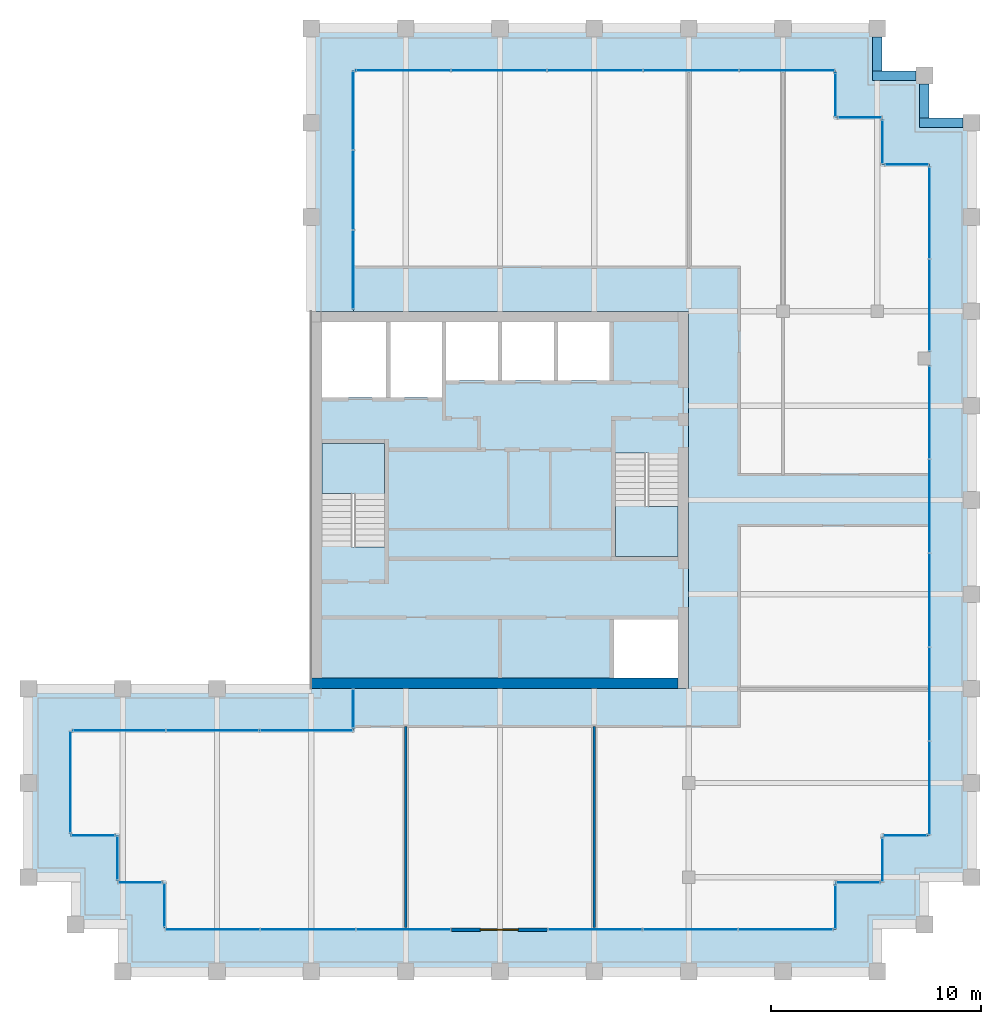
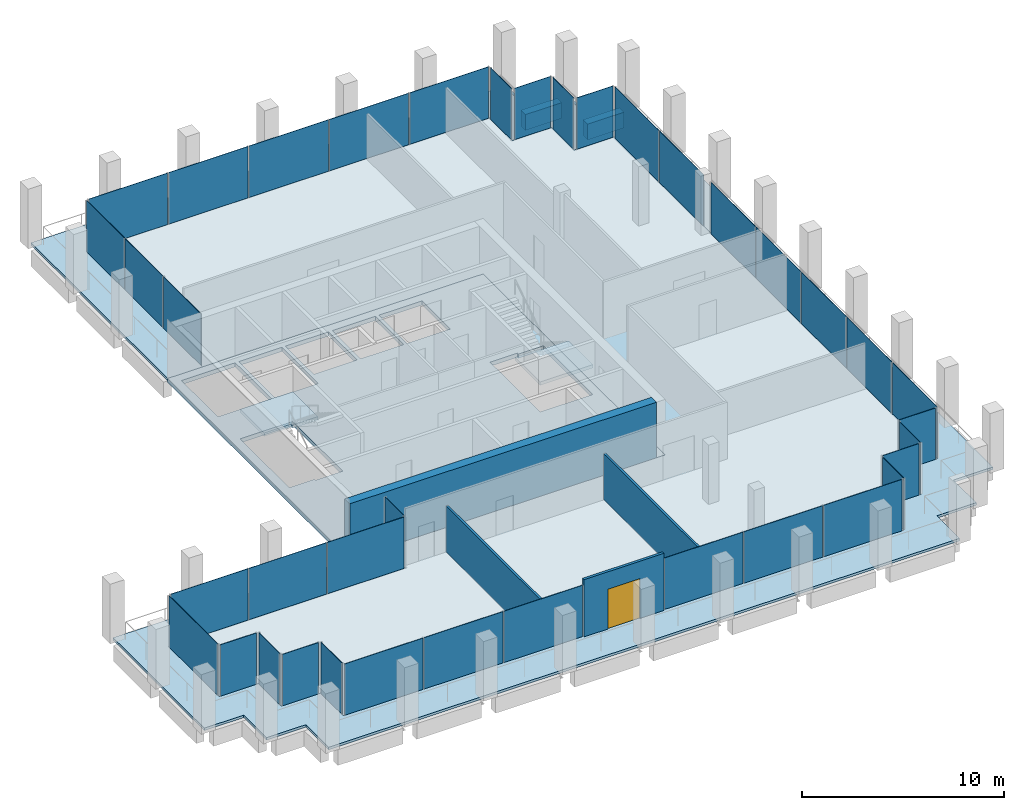
# One storey, part 27 of 30: 38 plates, 5 slabs, 4 beams, 4 walls, 1 door, 1 opening, 23 elements without a shape of their own.
"""IFC4 building model written with IfcOpenShell, lengths in metres."""

from ifc_helpers import new_model, si_unit, direction, frame, frame_2d, origin, origin_2d, place, context, subcontext, project, spatial, polyline, rectangle, outline, extrude, material, layer, layer_set, material_profile, profile_set, type_object, element, fill, aggregate, save


model = new_model("IFC4")

# Units and contexts
model_context = context("Model", 3, precision=1e-05, world=origin(), true_north=direction((0.0, 1.0)))
body_context = subcontext(model_context, "Body", "Model", "MODEL_VIEW")
ifc_project = project(units=[si_unit("LENGTHUNIT", "METRE"), si_unit("AREAUNIT", "SQUARE_METRE"), si_unit("VOLUMEUNIT", "CUBIC_METRE"), si_unit("PLANEANGLEUNIT", "RADIAN"), si_unit("MASSUNIT", "GRAM", prefix="KILO")], contexts=[model_context])

# Site, building, storey
site_placement = place(None, origin())
site = spatial("IfcSite", under=ifc_project, at=site_placement, CompositionType="ELEMENT")
building_placement = place(site_placement, origin())
building = spatial("IfcBuilding", under=site, at=building_placement, Name="Altepetl Exchange Towers", CompositionType="ELEMENT")
storey_placement = place(building_placement, frame((0.0, 0.0, 238.800048828125)))
storey = spatial("IfcBuildingStorey", under=building, at=storey_placement, Name="L61", CompositionType="ELEMENT", Elevation=238.800048828125)

# Beams
ifc_material_1 = material(Name="Concrete C50/60 precast with cantera rosa facing", Category="concrete")
ifc_material_profile = material_profile(ifc_material_1, rectangle(XDim=0.449951171875, YDim=0.949951171875, at=origin_2d()), Name="450 x 950")
ifc_profile_set = profile_set([ifc_material_profile], Name="Concrete C50/60 precast with cantera rosa facing")
beam_type = type_object("IfcBeamType", Name="Spandrel beam 450x950 cantera rosa", PredefinedType="SPANDREL", material=ifc_profile_set)
beam_1_placement = place(storey_placement, frame((71.60009765625, 67.5, -0.625), z_axis=(-1.0, 0.0, 0.0), x_axis=(0.0, -1.0, 0.0)))
element("IfcBeam", 1, at=beam_1_placement, inside=storey, type_object=beam_type, Name="sp:A:L61:020", PredefinedType="SPANDREL", context=body_context, shape_type="SweptSolid", body=[
    extrude(rectangle(XDim=0.449951171875, YDim=0.949951171875, at=origin_2d()), origin(), (0.0, 0.0, 1.0), 2.0751953125),
])
beam_2_placement = place(storey_placement, frame((69.75, 67.72509765625, -0.625), z_axis=(0.0, 1.0, 0.0), x_axis=(-1.0, 0.0, 0.0)))
element("IfcBeam", 2, at=beam_2_placement, inside=storey, type_object=beam_type, Name="sp:A:L61:021", PredefinedType="SPANDREL", context=body_context, shape_type="SweptSolid", body=[
    extrude(rectangle(XDim=0.449951171875, YDim=0.949951171875, at=origin_2d()), origin(), (0.0, 0.0, 1.0), 1.625),
])
beam_3_placement = place(storey_placement, frame((69.35009765625, 69.75, -0.625), z_axis=(-1.0, 0.0, 0.0), x_axis=(0.0, -1.0, 0.0)))
element("IfcBeam", 3, at=beam_3_placement, inside=storey, type_object=beam_type, Name="sp:A:L61:022", PredefinedType="SPANDREL", context=body_context, shape_type="SweptSolid", body=[
    extrude(rectangle(XDim=0.449951171875, YDim=0.949951171875, at=origin_2d()), origin(), (0.0, 0.0, 1.0), 2.0751953125),
])
beam_4_placement = place(storey_placement, frame((67.5, 69.97509765625, -0.625), z_axis=(0.0, 1.0, 0.0), x_axis=(-1.0, 0.0, 0.0)))
element("IfcBeam", 4, at=beam_4_placement, inside=storey, type_object=beam_type, Name="sp:A:L61:023", PredefinedType="SPANDREL", context=body_context, shape_type="SweptSolid", body=[
    extrude(rectangle(XDim=0.449951171875, YDim=0.949951171875, at=origin_2d()), origin(), (0.0, 0.0, 1.0), 1.625),
])

# Slabs
ifc_material_2 = material(Name="Concrete C40/50", Category="concrete")
ifc_layer_1 = layer(ifc_material_2, 0.14990234375)
ifc_layer_set_1 = layer_set([ifc_layer_1], Name="Concrete C40/50")
slab_type_1 = type_object("IfcSlabType", Name="Composite floor slab 150", PredefinedType="FLOOR", material=ifc_layer_set_1)
slab_1_placement = place(storey_placement, frame((0.0, 0.0, -0.150146484375)))
element("IfcSlab", 5, at=slab_1_placement, inside=storey, type_object=slab_type_1, Name="slab:A:L61:strip0", PredefinedType="FLOOR", context=body_context, shape_type="SweptSolid", body=[
    extrude(outline(polyline([(42.5, 70.0), (42.5, 58.5), (58.5, 58.5), (58.5, 40.5), (42.5, 40.5), (42.5, 38.5), (29.0, 38.5), (29.0, 33.5), (31.25, 33.5), (31.25, 31.25), (33.5, 31.25), (33.5, 29.0), (65.5, 29.0), (65.5, 31.25), (67.75, 31.25), (67.75, 33.5), (70.0, 33.5), (70.0, 65.5), (67.75, 65.5), (67.75, 67.75), (65.5, 67.75), (65.5, 70.0), (42.5, 70.0)])), origin(), (0.0, 0.0, 1.0), 0.150146484375),
])
ifc_layer_2 = layer(ifc_material_2, 0.25)
ifc_layer_set_2 = layer_set([ifc_layer_2], Name="Concrete C40/50")
slab_type_2 = type_object("IfcSlabType", Name="Core floor slab 250", PredefinedType="FLOOR", material=ifc_layer_set_2)
slab_2_placement = place(storey_placement, frame((0.0, 0.0, -0.25)))
element("IfcSlab", 6, at=slab_2_placement, inside=storey, type_object=slab_type_2, Name="slab:A:L61:core0", PredefinedType="FLOOR", context=body_context, shape_type="SweptSolid", body=[
    extrude(outline(polyline([(40.5, 40.5), (58.5, 40.5), (58.5, 58.5), (40.5, 58.5), (40.5, 40.5)]), holes=[polyline([(54.93310546875, 43.800048828125), (58.0, 43.800048828125), (58.0, 41.0), (54.93310546875, 41.0), (54.93310546875, 43.800048828125)]), polyline([(55.0, 51.7490234375), (56.550048828125, 51.7490234375), (56.550048828125, 51.64990234375), (58.0, 51.64990234375), (58.0, 46.800048828125), (55.0, 46.800048828125), (55.0, 51.7490234375)]), polyline([(44.0, 47.2509765625), (42.449951171875, 47.2509765625), (42.449951171875, 47.35009765625), (41.0, 47.35009765625), (41.0, 52.199951171875), (44.0, 52.199951171875), (44.0, 47.2509765625)]), polyline([(41.0, 58.0), (44.06689453125, 58.0), (44.06689453125, 54.39990234375), (41.0, 54.39990234375), (41.0, 58.0)]), polyline([(44.26708984375, 58.0), (46.73291015625, 58.0), (46.73291015625, 54.39990234375), (44.26708984375, 54.39990234375), (44.26708984375, 58.0)]), polyline([(46.93310546875, 58.0), (49.39990234375, 58.0), (49.39990234375, 55.199951171875), (46.93310546875, 55.199951171875), (46.93310546875, 58.0)]), polyline([(49.60009765625, 58.0), (52.06689453125, 58.0), (52.06689453125, 55.199951171875), (49.60009765625, 55.199951171875), (49.60009765625, 58.0)]), polyline([(52.26708984375, 58.0), (54.73291015625, 58.0), (54.73291015625, 55.199951171875), (52.26708984375, 55.199951171875), (52.26708984375, 58.0)])]), origin(), (0.0, 0.0, 1.0), 0.25),
])

# Curtain wall, plate
ifc_material_3 = material(Name="Aluminium 6063-T6 glazing", Category="aluminium")
curtain_wall_type = type_object("IfcCurtainWallType", Name="Loggia glazing system", PredefinedType="NOTDEFINED", material=ifc_material_3)
curtain_wall_1_placement = place(storey_placement, origin())
curtain_wall_1 = element("IfcCurtainWall", 7, at=curtain_wall_1_placement, inside=storey, type_object=curtain_wall_type, Name="CW1 run", PredefinedType="NOTDEFINED")
ifc_material_4 = material(Name="Glass 6-16-6 low emissivity", Category="glass")
ifc_layer_3 = layer(ifc_material_4, 0.028076171875)
ifc_layer_set_3 = layer_set([ifc_layer_3], Name="Glass 6-16-6 low emissivity")
plate_type = type_object("IfcPlateType", Name="Glass panel 28 double glazed", PredefinedType="CURTAIN_PANEL", material=ifc_layer_set_3)
plate_1_placement = place(storey_placement, frame((42.5, 39.53759765625, 0.0), z_axis=(0.0, 0.0, 1.0), x_axis=(0.0, -1.0, 0.0)))
plate_1 = element("IfcPlate", 8, at=plate_1_placement, type_object=plate_type, Name="GP1 panel", PredefinedType="CURTAIN_PANEL", context=body_context, shape_type="SweptSolid", body=[
    extrude(rectangle(XDim=1.804931640625, YDim=0.028076171875, at=origin_2d()), origin(), (0.0, 0.0, 1.0), 3.10009765625),
])
aggregate(curtain_wall_1, [plate_1])

# Curtain wall, plates
curtain_wall_2_placement = place(storey_placement, origin())
curtain_wall_2 = element("IfcCurtainWall", 9, at=curtain_wall_2_placement, inside=storey, type_object=curtain_wall_type, Name="CW1 run", PredefinedType="NOTDEFINED")
plate_2_placement = place(storey_placement, frame((40.24755859375, 38.5, 0.0), z_axis=(0.0, 0.0, 1.0), x_axis=(-1.0, 0.0, 0.0)))
plate_2 = element("IfcPlate", 10, at=plate_2_placement, type_object=plate_type, Name="GP1 panel", PredefinedType="CURTAIN_PANEL", context=body_context, shape_type="SweptSolid", body=[
    extrude(rectangle(XDim=4.385009765625, YDim=0.028076171875, at=origin_2d()), origin(), (0.0, 0.0, 1.0), 3.10009765625),
])
plate_3_placement = place(storey_placement, frame((35.78759765625, 38.5, 0.0), z_axis=(0.0, 0.0, 1.0), x_axis=(-1.0, 0.0, 0.0)))
plate_3 = element("IfcPlate", 11, at=plate_3_placement, type_object=plate_type, Name="GP1 panel", PredefinedType="CURTAIN_PANEL", context=body_context, shape_type="SweptSolid", body=[
    extrude(rectangle(XDim=4.4150390625, YDim=0.028076171875, at=origin_2d()), origin(), (0.0, 0.0, 1.0), 3.10009765625),
])
plate_4_placement = place(storey_placement, frame((31.327392578125, 38.5, 0.0), z_axis=(0.0, 0.0, 1.0), x_axis=(-1.0, 0.0, 0.0)))
plate_4 = element("IfcPlate", 12, at=plate_4_placement, type_object=plate_type, Name="GP1 panel", PredefinedType="CURTAIN_PANEL", context=body_context, shape_type="SweptSolid", body=[
    extrude(rectangle(XDim=4.385009765625, YDim=0.028076171875, at=origin_2d()), origin(), (0.0, 0.0, 1.0), 3.10009765625),
])
aggregate(curtain_wall_2, [plate_2, plate_3, plate_4])

# Curtain wall, plate
curtain_wall_3_placement = place(storey_placement, origin())
curtain_wall_3 = element("IfcCurtainWall", 13, at=curtain_wall_3_placement, inside=storey, type_object=curtain_wall_type, Name="CW1 run", PredefinedType="NOTDEFINED")
plate_5_placement = place(storey_placement, frame((29.0, 36.03759765625, 0.0), z_axis=(0.0, 0.0, 1.0), x_axis=(0.0, -1.0, 0.0)))
plate_5 = element("IfcPlate", 14, at=plate_5_placement, type_object=plate_type, Name="GP1 panel", PredefinedType="CURTAIN_PANEL", context=body_context, shape_type="SweptSolid", body=[
    extrude(rectangle(XDim=4.804931640625, YDim=0.028076171875, at=origin_2d()), origin(), (0.0, 0.0, 1.0), 3.10009765625),
])
aggregate(curtain_wall_3, [plate_5])

curtain_wall_4_placement = place(storey_placement, origin())
curtain_wall_4 = element("IfcCurtainWall", 15, at=curtain_wall_4_placement, inside=storey, type_object=curtain_wall_type, Name="CW1 run", PredefinedType="NOTDEFINED")
plate_6_placement = place(storey_placement, frame((30.08740234375, 33.5, 0.0)))
plate_6 = element("IfcPlate", 16, at=plate_6_placement, type_object=plate_type, Name="GP1 panel", PredefinedType="CURTAIN_PANEL", context=body_context, shape_type="SweptSolid", body=[
    extrude(rectangle(XDim=2.054931640625, YDim=0.028076171875, at=origin_2d()), origin(), (0.0, 0.0, 1.0), 3.10009765625),
])
aggregate(curtain_wall_4, [plate_6])

curtain_wall_5_placement = place(storey_placement, origin())
curtain_wall_5 = element("IfcCurtainWall", 17, at=curtain_wall_5_placement, inside=storey, type_object=curtain_wall_type, Name="CW1 run", PredefinedType="NOTDEFINED")
plate_7_placement = place(storey_placement, frame((31.25, 32.41259765625, 0.0), z_axis=(0.0, 0.0, 1.0), x_axis=(0.0, -1.0, 0.0)))
plate_7 = element("IfcPlate", 18, at=plate_7_placement, type_object=plate_type, Name="GP1 panel", PredefinedType="CURTAIN_PANEL", context=body_context, shape_type="SweptSolid", body=[
    extrude(rectangle(XDim=2.054931640625, YDim=0.028076171875, at=origin_2d()), origin(), (0.0, 0.0, 1.0), 3.10009765625),
])
aggregate(curtain_wall_5, [plate_7])

curtain_wall_6_placement = place(storey_placement, origin())
curtain_wall_6 = element("IfcCurtainWall", 19, at=curtain_wall_6_placement, inside=storey, type_object=curtain_wall_type, Name="CW1 run", PredefinedType="NOTDEFINED")
plate_8_placement = place(storey_placement, frame((32.33740234375, 31.25, 0.0)))
plate_8 = element("IfcPlate", 20, at=plate_8_placement, type_object=plate_type, Name="GP1 panel", PredefinedType="CURTAIN_PANEL", context=body_context, shape_type="SweptSolid", body=[
    extrude(rectangle(XDim=2.054931640625, YDim=0.028076171875, at=origin_2d()), origin(), (0.0, 0.0, 1.0), 3.10009765625),
])
aggregate(curtain_wall_6, [plate_8])

curtain_wall_7_placement = place(storey_placement, origin())
curtain_wall_7 = element("IfcCurtainWall", 21, at=curtain_wall_7_placement, inside=storey, type_object=curtain_wall_type, Name="CW1 run", PredefinedType="NOTDEFINED")
plate_9_placement = place(storey_placement, frame((33.5, 30.16259765625, 0.0), z_axis=(0.0, 0.0, 1.0), x_axis=(0.0, -1.0, 0.0)))
plate_9 = element("IfcPlate", 22, at=plate_9_placement, type_object=plate_type, Name="GP1 panel", PredefinedType="CURTAIN_PANEL", context=body_context, shape_type="SweptSolid", body=[
    extrude(rectangle(XDim=2.054931640625, YDim=0.028076171875, at=origin_2d()), origin(), (0.0, 0.0, 1.0), 3.10009765625),
])
aggregate(curtain_wall_7, [plate_9])

# Curtain wall, plates
curtain_wall_8_placement = place(storey_placement, origin())
curtain_wall_8 = element("IfcCurtainWall", 23, at=curtain_wall_8_placement, inside=storey, type_object=curtain_wall_type, Name="CW1 run", PredefinedType="NOTDEFINED")
plate_10_placement = place(storey_placement, frame((35.79541015625, 29.0, 0.0)))
plate_10 = element("IfcPlate", 24, at=plate_10_placement, type_object=plate_type, Name="GP1 panel", PredefinedType="CURTAIN_PANEL", context=body_context, shape_type="SweptSolid", body=[
    extrude(rectangle(XDim=4.470703125, YDim=0.028076171875, at=origin_2d()), origin(), (0.0, 0.0, 1.0), 3.10009765625),
])
plate_11_placement = place(storey_placement, frame((40.341064453125, 29.0, 0.0)))
plate_11 = element("IfcPlate", 25, at=plate_11_placement, type_object=plate_type, Name="GP1 panel", PredefinedType="CURTAIN_PANEL", context=body_context, shape_type="SweptSolid", body=[
    extrude(rectangle(XDim=4.500732421875, YDim=0.028076171875, at=origin_2d()), origin(), (0.0, 0.0, 1.0), 3.10009765625),
])
plate_12_placement = place(storey_placement, frame((44.88671875, 29.0, 0.0)))
plate_12 = element("IfcPlate", 26, at=plate_12_placement, type_object=plate_type, Name="GP1 panel", PredefinedType="CURTAIN_PANEL", context=body_context, shape_type="SweptSolid", body=[
    extrude(rectangle(XDim=4.470703125, YDim=0.028076171875, at=origin_2d()), origin(), (0.0, 0.0, 1.0), 3.10009765625),
])
aggregate(curtain_wall_8, [plate_10, plate_11, plate_12])

curtain_wall_9_placement = place(storey_placement, origin())
curtain_wall_9 = element("IfcCurtainWall", 27, at=curtain_wall_9_placement, inside=storey, type_object=curtain_wall_type, Name="CW1 run", PredefinedType="NOTDEFINED")
plate_13_placement = place(storey_placement, frame((54.038330078125, 29.0, 0.0)))
plate_13 = element("IfcPlate", 28, at=plate_13_placement, type_object=plate_type, Name="GP1 panel", PredefinedType="CURTAIN_PANEL", context=body_context, shape_type="SweptSolid", body=[
    extrude(rectangle(XDim=4.470703125, YDim=0.028076171875, at=origin_2d()), origin(), (0.0, 0.0, 1.0), 3.10009765625),
])
plate_14_placement = place(storey_placement, frame((58.583984375, 29.0, 0.0)))
plate_14 = element("IfcPlate", 29, at=plate_14_placement, type_object=plate_type, Name="GP1 panel", PredefinedType="CURTAIN_PANEL", context=body_context, shape_type="SweptSolid", body=[
    extrude(rectangle(XDim=4.500732421875, YDim=0.028076171875, at=origin_2d()), origin(), (0.0, 0.0, 1.0), 3.10009765625),
])
plate_15_placement = place(storey_placement, frame((63.129638671875, 29.0, 0.0)))
plate_15 = element("IfcPlate", 30, at=plate_15_placement, type_object=plate_type, Name="GP1 panel", PredefinedType="CURTAIN_PANEL", context=body_context, shape_type="SweptSolid", body=[
    extrude(rectangle(XDim=4.470703125, YDim=0.028076171875, at=origin_2d()), origin(), (0.0, 0.0, 1.0), 3.10009765625),
])
aggregate(curtain_wall_9, [plate_13, plate_14, plate_15])

# Curtain wall, plate
curtain_wall_10_placement = place(storey_placement, origin())
curtain_wall_10 = element("IfcCurtainWall", 31, at=curtain_wall_10_placement, inside=storey, type_object=curtain_wall_type, Name="CW1 run", PredefinedType="NOTDEFINED")
plate_16_placement = place(storey_placement, frame((65.5, 30.08740234375, 0.0), z_axis=(0.0, 0.0, 1.0), x_axis=(0.0, 1.0, 0.0)))
plate_16 = element("IfcPlate", 32, at=plate_16_placement, type_object=plate_type, Name="GP1 panel", PredefinedType="CURTAIN_PANEL", context=body_context, shape_type="SweptSolid", body=[
    extrude(rectangle(XDim=2.054931640625, YDim=0.028076171875, at=origin_2d()), origin(), (0.0, 0.0, 1.0), 3.10009765625),
])
aggregate(curtain_wall_10, [plate_16])

curtain_wall_11_placement = place(storey_placement, origin())
curtain_wall_11 = element("IfcCurtainWall", 33, at=curtain_wall_11_placement, inside=storey, type_object=curtain_wall_type, Name="CW1 run", PredefinedType="NOTDEFINED")
plate_17_placement = place(storey_placement, frame((66.58740234375, 31.25, 0.0)))
plate_17 = element("IfcPlate", 34, at=plate_17_placement, type_object=plate_type, Name="GP1 panel", PredefinedType="CURTAIN_PANEL", context=body_context, shape_type="SweptSolid", body=[
    extrude(rectangle(XDim=2.054931640625, YDim=0.028076171875, at=origin_2d()), origin(), (0.0, 0.0, 1.0), 3.10009765625),
])
aggregate(curtain_wall_11, [plate_17])

curtain_wall_12_placement = place(storey_placement, origin())
curtain_wall_12 = element("IfcCurtainWall", 35, at=curtain_wall_12_placement, inside=storey, type_object=curtain_wall_type, Name="CW1 run", PredefinedType="NOTDEFINED")
plate_18_placement = place(storey_placement, frame((67.75, 32.33740234375, 0.0), z_axis=(0.0, 0.0, 1.0), x_axis=(0.0, 1.0, 0.0)))
plate_18 = element("IfcPlate", 36, at=plate_18_placement, type_object=plate_type, Name="GP1 panel", PredefinedType="CURTAIN_PANEL", context=body_context, shape_type="SweptSolid", body=[
    extrude(rectangle(XDim=2.054931640625, YDim=0.028076171875, at=origin_2d()), origin(), (0.0, 0.0, 1.0), 3.10009765625),
])
aggregate(curtain_wall_12, [plate_18])

curtain_wall_13_placement = place(storey_placement, origin())
curtain_wall_13 = element("IfcCurtainWall", 37, at=curtain_wall_13_placement, inside=storey, type_object=curtain_wall_type, Name="CW1 run", PredefinedType="NOTDEFINED")
plate_19_placement = place(storey_placement, frame((68.83740234375, 33.5, 0.0)))
plate_19 = element("IfcPlate", 38, at=plate_19_placement, type_object=plate_type, Name="GP1 panel", PredefinedType="CURTAIN_PANEL", context=body_context, shape_type="SweptSolid", body=[
    extrude(rectangle(XDim=2.054931640625, YDim=0.028076171875, at=origin_2d()), origin(), (0.0, 0.0, 1.0), 3.10009765625),
])
aggregate(curtain_wall_13, [plate_19])

# Curtain wall, plates
curtain_wall_14_placement = place(storey_placement, origin())
curtain_wall_14 = element("IfcCurtainWall", 39, at=curtain_wall_14_placement, inside=storey, type_object=curtain_wall_type, Name="CW1 run", PredefinedType="NOTDEFINED")
plate_20_placement = place(storey_placement, frame((70.0, 35.758056640625, 0.0), z_axis=(0.0, 0.0, 1.0), x_axis=(0.0, 1.0, 0.0)))
plate_20 = element("IfcPlate", 40, at=plate_20_placement, type_object=plate_type, Name="GP1 panel", PredefinedType="CURTAIN_PANEL", context=body_context, shape_type="SweptSolid", body=[
    extrude(rectangle(XDim=4.39599609375, YDim=0.028076171875, at=origin_2d()), origin(), (0.0, 0.0, 1.0), 3.10009765625),
])
plate_21_placement = place(storey_placement, frame((70.0, 40.22900390625, 0.0), z_axis=(0.0, 0.0, 1.0), x_axis=(0.0, 1.0, 0.0)))
plate_21 = element("IfcPlate", 41, at=plate_21_placement, type_object=plate_type, Name="GP1 panel", PredefinedType="CURTAIN_PANEL", context=body_context, shape_type="SweptSolid", body=[
    extrude(rectangle(XDim=4.426025390625, YDim=0.028076171875, at=origin_2d()), origin(), (0.0, 0.0, 1.0), 3.10009765625),
])
plate_22_placement = place(storey_placement, frame((70.0, 44.715087890625, 0.0), z_axis=(0.0, 0.0, 1.0), x_axis=(0.0, 1.0, 0.0)))
plate_22 = element("IfcPlate", 42, at=plate_22_placement, type_object=plate_type, Name="GP1 panel", PredefinedType="CURTAIN_PANEL", context=body_context, shape_type="SweptSolid", body=[
    extrude(rectangle(XDim=4.426025390625, YDim=0.028076171875, at=origin_2d()), origin(), (0.0, 0.0, 1.0), 3.10009765625),
])
plate_23_placement = place(storey_placement, frame((70.0, 49.200927734375, 0.0), z_axis=(0.0, 0.0, 1.0), x_axis=(0.0, 1.0, 0.0)))
plate_23 = element("IfcPlate", 43, at=plate_23_placement, type_object=plate_type, Name="GP1 panel", PredefinedType="CURTAIN_PANEL", context=body_context, shape_type="SweptSolid", body=[
    extrude(rectangle(XDim=4.426025390625, YDim=0.028076171875, at=origin_2d()), origin(), (0.0, 0.0, 1.0), 3.10009765625),
])
plate_24_placement = place(storey_placement, frame((70.0, 53.672119140625, 0.0), z_axis=(0.0, 0.0, 1.0), x_axis=(0.0, 1.0, 0.0)))
plate_24 = element("IfcPlate", 44, at=plate_24_placement, type_object=plate_type, Name="GP1 panel", PredefinedType="CURTAIN_PANEL", context=body_context, shape_type="SweptSolid", body=[
    extrude(rectangle(XDim=4.39599609375, YDim=0.028076171875, at=origin_2d()), origin(), (0.0, 0.0, 1.0), 3.10009765625),
])
aggregate(curtain_wall_14, [plate_20, plate_21, plate_22, plate_23, plate_24])

curtain_wall_15_placement = place(storey_placement, origin())
curtain_wall_15 = element("IfcCurtainWall", 45, at=curtain_wall_15_placement, inside=storey, type_object=curtain_wall_type, Name="CW1 run", PredefinedType="NOTDEFINED")
plate_25_placement = place(storey_placement, frame((70.0, 58.798828125, 0.0), z_axis=(0.0, 0.0, 1.0), x_axis=(0.0, 1.0, 0.0)))
plate_25 = element("IfcPlate", 46, at=plate_25_placement, type_object=plate_type, Name="GP1 panel", PredefinedType="CURTAIN_PANEL", context=body_context, shape_type="SweptSolid", body=[
    extrude(rectangle(XDim=4.33740234375, YDim=0.028076171875, at=origin_2d()), origin(), (0.0, 0.0, 1.0), 3.10009765625),
])
plate_26_placement = place(storey_placement, frame((70.0, 63.1962890625, 0.0), z_axis=(0.0, 0.0, 1.0), x_axis=(0.0, 1.0, 0.0)))
plate_26 = element("IfcPlate", 47, at=plate_26_placement, type_object=plate_type, Name="GP1 panel", PredefinedType="CURTAIN_PANEL", context=body_context, shape_type="SweptSolid", body=[
    extrude(rectangle(XDim=4.33740234375, YDim=0.028076171875, at=origin_2d()), origin(), (0.0, 0.0, 1.0), 3.10009765625),
])
aggregate(curtain_wall_15, [plate_25, plate_26])

# Curtain wall, plate
curtain_wall_16_placement = place(storey_placement, origin())
curtain_wall_16 = element("IfcCurtainWall", 48, at=curtain_wall_16_placement, inside=storey, type_object=curtain_wall_type, Name="CW1 run", PredefinedType="NOTDEFINED")
plate_27_placement = place(storey_placement, frame((68.91259765625, 65.5, 0.0), z_axis=(0.0, 0.0, 1.0), x_axis=(-1.0, 0.0, 0.0)))
plate_27 = element("IfcPlate", 49, at=plate_27_placement, type_object=plate_type, Name="GP1 panel", PredefinedType="CURTAIN_PANEL", context=body_context, shape_type="SweptSolid", body=[
    extrude(rectangle(XDim=2.054931640625, YDim=0.028076171875, at=origin_2d()), origin(), (0.0, 0.0, 1.0), 3.10009765625),
])
aggregate(curtain_wall_16, [plate_27])

curtain_wall_17_placement = place(storey_placement, origin())
curtain_wall_17 = element("IfcCurtainWall", 50, at=curtain_wall_17_placement, inside=storey, type_object=curtain_wall_type, Name="CW1 run", PredefinedType="NOTDEFINED")
plate_28_placement = place(storey_placement, frame((67.75, 66.58740234375, 0.0), z_axis=(0.0, 0.0, 1.0), x_axis=(0.0, 1.0, 0.0)))
plate_28 = element("IfcPlate", 51, at=plate_28_placement, type_object=plate_type, Name="GP1 panel", PredefinedType="CURTAIN_PANEL", context=body_context, shape_type="SweptSolid", body=[
    extrude(rectangle(XDim=2.054931640625, YDim=0.028076171875, at=origin_2d()), origin(), (0.0, 0.0, 1.0), 3.10009765625),
])
aggregate(curtain_wall_17, [plate_28])

curtain_wall_18_placement = place(storey_placement, origin())
curtain_wall_18 = element("IfcCurtainWall", 52, at=curtain_wall_18_placement, inside=storey, type_object=curtain_wall_type, Name="CW1 run", PredefinedType="NOTDEFINED")
plate_29_placement = place(storey_placement, frame((66.66259765625, 67.75, 0.0), z_axis=(0.0, 0.0, 1.0), x_axis=(-1.0, 0.0, 0.0)))
plate_29 = element("IfcPlate", 53, at=plate_29_placement, type_object=plate_type, Name="GP1 panel", PredefinedType="CURTAIN_PANEL", context=body_context, shape_type="SweptSolid", body=[
    extrude(rectangle(XDim=2.054931640625, YDim=0.028076171875, at=origin_2d()), origin(), (0.0, 0.0, 1.0), 3.10009765625),
])
aggregate(curtain_wall_18, [plate_29])

curtain_wall_19_placement = place(storey_placement, origin())
curtain_wall_19 = element("IfcCurtainWall", 54, at=curtain_wall_19_placement, inside=storey, type_object=curtain_wall_type, Name="CW1 run", PredefinedType="NOTDEFINED")
plate_30_placement = place(storey_placement, frame((65.5, 68.83740234375, 0.0), z_axis=(0.0, 0.0, 1.0), x_axis=(0.0, 1.0, 0.0)))
plate_30 = element("IfcPlate", 55, at=plate_30_placement, type_object=plate_type, Name="GP1 panel", PredefinedType="CURTAIN_PANEL", context=body_context, shape_type="SweptSolid", body=[
    extrude(rectangle(XDim=2.054931640625, YDim=0.028076171875, at=origin_2d()), origin(), (0.0, 0.0, 1.0), 3.10009765625),
])
aggregate(curtain_wall_19, [plate_30])

# Curtain wall, plates
curtain_wall_20_placement = place(storey_placement, origin())
curtain_wall_20 = element("IfcCurtainWall", 56, at=curtain_wall_20_placement, inside=storey, type_object=curtain_wall_type, Name="CW1 run", PredefinedType="NOTDEFINED")
plate_31_placement = place(storey_placement, frame((63.1923828125, 70.0, 0.0), z_axis=(0.0, 0.0, 1.0), x_axis=(-1.0, 0.0, 0.0)))
plate_31 = element("IfcPlate", 57, at=plate_31_placement, type_object=plate_type, Name="GP1 panel", PredefinedType="CURTAIN_PANEL", context=body_context, shape_type="SweptSolid", body=[
    extrude(rectangle(XDim=4.4951171875, YDim=0.028076171875, at=origin_2d()), origin(), (0.0, 0.0, 1.0), 3.10009765625),
])
plate_32_placement = place(storey_placement, frame((58.62255859375, 70.0, 0.0), z_axis=(0.0, 0.0, 1.0), x_axis=(-1.0, 0.0, 0.0)))
plate_32 = element("IfcPlate", 58, at=plate_32_placement, type_object=plate_type, Name="GP1 panel", PredefinedType="CURTAIN_PANEL", context=body_context, shape_type="SweptSolid", body=[
    extrude(rectangle(XDim=4.52490234375, YDim=0.028076171875, at=origin_2d()), origin(), (0.0, 0.0, 1.0), 3.10009765625),
])
plate_33_placement = place(storey_placement, frame((54.03759765625, 70.0, 0.0), z_axis=(0.0, 0.0, 1.0), x_axis=(-1.0, 0.0, 0.0)))
plate_33 = element("IfcPlate", 59, at=plate_33_placement, type_object=plate_type, Name="GP1 panel", PredefinedType="CURTAIN_PANEL", context=body_context, shape_type="SweptSolid", body=[
    extrude(rectangle(XDim=4.52490234375, YDim=0.028076171875, at=origin_2d()), origin(), (0.0, 0.0, 1.0), 3.10009765625),
])
plate_34_placement = place(storey_placement, frame((49.452392578125, 70.0, 0.0), z_axis=(0.0, 0.0, 1.0), x_axis=(-1.0, 0.0, 0.0)))
plate_34 = element("IfcPlate", 60, at=plate_34_placement, type_object=plate_type, Name="GP1 panel", PredefinedType="CURTAIN_PANEL", context=body_context, shape_type="SweptSolid", body=[
    extrude(rectangle(XDim=4.52490234375, YDim=0.028076171875, at=origin_2d()), origin(), (0.0, 0.0, 1.0), 3.10009765625),
])
plate_35_placement = place(storey_placement, frame((44.882568359375, 70.0, 0.0), z_axis=(0.0, 0.0, 1.0), x_axis=(-1.0, 0.0, 0.0)))
plate_35 = element("IfcPlate", 61, at=plate_35_placement, type_object=plate_type, Name="GP1 panel", PredefinedType="CURTAIN_PANEL", context=body_context, shape_type="SweptSolid", body=[
    extrude(rectangle(XDim=4.4951171875, YDim=0.028076171875, at=origin_2d()), origin(), (0.0, 0.0, 1.0), 3.10009765625),
])
aggregate(curtain_wall_20, [plate_31, plate_32, plate_33, plate_34, plate_35])

curtain_wall_21_placement = place(storey_placement, origin())
curtain_wall_21 = element("IfcCurtainWall", 62, at=curtain_wall_21_placement, inside=storey, type_object=curtain_wall_type, Name="CW1 run", PredefinedType="NOTDEFINED")
plate_36_placement = place(storey_placement, frame((42.5, 68.080810546875, 0.0), z_axis=(0.0, 0.0, 1.0), x_axis=(0.0, -1.0, 0.0)))
plate_36 = element("IfcPlate", 63, at=plate_36_placement, type_object=plate_type, Name="GP1 panel", PredefinedType="CURTAIN_PANEL", context=body_context, shape_type="SweptSolid", body=[
    extrude(rectangle(XDim=3.71826171875, YDim=0.028076171875, at=origin_2d()), origin(), (0.0, 0.0, 1.0), 3.10009765625),
])
plate_37_placement = place(storey_placement, frame((42.5, 64.28759765625, 0.0), z_axis=(0.0, 0.0, 1.0), x_axis=(0.0, -1.0, 0.0)))
plate_37 = element("IfcPlate", 64, at=plate_37_placement, type_object=plate_type, Name="GP1 panel", PredefinedType="CURTAIN_PANEL", context=body_context, shape_type="SweptSolid", body=[
    extrude(rectangle(XDim=3.748291015625, YDim=0.028076171875, at=origin_2d()), origin(), (0.0, 0.0, 1.0), 3.10009765625),
])
plate_38_placement = place(storey_placement, frame((42.5, 60.494140625, 0.0), z_axis=(0.0, 0.0, 1.0), x_axis=(0.0, -1.0, 0.0)))
plate_38 = element("IfcPlate", 65, at=plate_38_placement, type_object=plate_type, Name="GP1 panel", PredefinedType="CURTAIN_PANEL", context=body_context, shape_type="SweptSolid", body=[
    extrude(rectangle(XDim=3.71826171875, YDim=0.028076171875, at=origin_2d()), origin(), (0.0, 0.0, 1.0), 3.10009765625),
])
aggregate(curtain_wall_21, [plate_36, plate_37, plate_38])

# Slab
ifc_layer_4 = layer(ifc_material_2, 0.14990234375)
ifc_layer_set_4 = layer_set([ifc_layer_4], Name="Concrete C40/50")
slab_type_3 = type_object("IfcSlabType", Name="Loggia slab 150", PredefinedType="FLOOR", material=ifc_layer_set_4)
slab_3_placement = place(storey_placement, frame((0.0, 0.0, -0.150146484375)))
element("IfcSlab", 66, at=slab_3_placement, inside=storey, type_object=slab_type_3, Name="slab:A:L61:loggia0", PredefinedType="FLOOR", context=body_context, shape_type="SweptSolid", body=[
    extrude(outline(polyline([(40.5, 72.0), (40.5, 58.5), (42.5, 58.5), (42.5, 70.0), (65.5, 70.0), (65.5, 67.75), (67.75, 67.75), (67.75, 65.5), (70.0, 65.5), (70.0, 33.5), (67.75, 33.5), (67.75, 31.25), (65.5, 31.25), (65.5, 29.0), (33.5, 29.0), (33.5, 31.25), (31.25, 31.25), (31.25, 33.5), (29.0, 33.5), (29.0, 38.5), (42.5, 38.5), (42.5, 40.5), (40.5, 40.5), (27.0, 40.5), (27.0, 31.5), (29.25, 31.5), (29.25, 29.25), (31.5, 29.25), (31.5, 27.0), (58.5, 27.0), (67.5, 27.0), (67.5, 29.25), (69.75, 29.25), (69.75, 31.5), (72.0, 31.5), (72.0, 58.5), (72.0, 67.5), (69.75, 67.5), (69.75, 69.75), (67.5, 69.75), (67.5, 72.0), (40.5, 72.0)])), origin(), (0.0, 0.0, 1.0), 0.150146484375),
])

# Stair, slab
stair_type = type_object("IfcStairType", Name="Exit stair 1450 flights dogleg", PredefinedType="HALF_TURN_STAIR", material=ifc_material_2)
stair_1_placement = place(storey_placement, origin())
stair_1 = element("IfcStair", 67, at=stair_1_placement, inside=storey, type_object=stair_type, Name="Exit stair 1", PredefinedType="HALF_TURN_STAIR")
ifc_layer_5 = layer(ifc_material_2, 0.199951171875)
ifc_layer_set_5 = layer_set([ifc_layer_5], Name="Concrete C40/50")
slab_type_4 = type_object("IfcSlabType", Name="Stair landing 200 reinforced concrete", PredefinedType="LANDING", material=ifc_layer_set_5)
slab_4_placement = place(storey_placement, frame((0.0, 0.0, 1.599853515625)))
slab_4 = element("IfcSlab", 68, at=slab_4_placement, type_object=slab_type_4, Name="ST-A1f landing 1", PredefinedType="LANDING", context=body_context, shape_type="SweptSolid", body=[
    extrude(outline(polyline([(44.0, 49.715087890625), (42.550048828125, 49.715087890625), (42.550048828125, 49.81494140625), (42.449951171875, 49.81494140625), (42.449951171875, 49.814208984375), (41.0, 49.814208984375), (41.0, 49.81494140625), (41.0, 52.199951171875), (44.0, 52.199951171875), (44.0, 49.81494140625), (44.0, 49.715087890625)])), origin(), (0.0, 0.0, 1.0), 0.2001953125),
])
aggregate(stair_1, [slab_4])

stair_2_placement = place(storey_placement, origin())
stair_2 = element("IfcStair", 69, at=stair_2_placement, inside=storey, type_object=stair_type, Name="Exit stair 2", PredefinedType="HALF_TURN_STAIR")
slab_5_placement = place(storey_placement, frame((0.0, 0.0, 1.599853515625)))
slab_5 = element("IfcSlab", 70, at=slab_5_placement, type_object=slab_type_4, Name="ST-A2f landing 1", PredefinedType="LANDING", context=body_context, shape_type="SweptSolid", body=[
    extrude(outline(polyline([(58.0, 46.800048828125), (55.0, 46.800048828125), (55.0, 49.18505859375), (55.0, 49.284912109375), (56.449951171875, 49.284912109375), (56.449951171875, 49.18505859375), (56.550048828125, 49.18505859375), (56.550048828125, 49.185791015625), (58.0, 49.185791015625), (58.0, 49.18505859375), (58.0, 46.800048828125)])), origin(), (0.0, 0.0, 1.0), 0.2001953125),
])
aggregate(stair_2, [slab_5])

# Wall
ifc_material_5 = material(Name="Concrete C70/85", Category="concrete")
ifc_layer_6 = layer(ifc_material_5, 0.5)
ifc_layer_set_6 = layer_set([ifc_layer_6], Name="Concrete C70/85")
wall_type_1 = type_object("IfcWallType", Name="Core wall 500 reinforced concrete", PredefinedType="SHEAR", material=ifc_layer_set_6)
wall_1_placement = place(storey_placement, frame((40.5, 40.75, 0.0)))
element("IfcWall", 71, at=wall_1_placement, inside=storey, type_object=wall_type_1, Name="wall:A:L61:K-coreS", PredefinedType="SHEAR", context=body_context, shape_type="SweptSolid", body=[
    extrude(rectangle(XDim=17.5, YDim=0.5, at=frame_2d((8.75, 0.0))), origin(), (0.0, 0.0, 1.0), 3.349853515625),
])

# Wall, opening, door
ifc_material_6 = material(Name="Aluminium composite cladding", Category="aluminium")
ifc_layer_7 = layer(ifc_material_6, 0.14990234375)
ifc_layer_set_7 = layer_set([ifc_layer_7], Name="Aluminium composite cladding")
wall_type_2 = type_object("IfcWallType", Name="Infill wall 150 aluminium panel", PredefinedType="SOLIDWALL", material=ifc_layer_set_7)
wall_2_placement = place(storey_placement, frame((47.18212890625, 29.0, 0.0)))
wall_2 = element("IfcWall", 72, at=wall_2_placement, inside=storey, type_object=wall_type_2, Name="Loggia door bay wall", PredefinedType="SOLIDWALL", context=body_context, shape_type="SweptSolid", body=[
    extrude(rectangle(XDim=4.560791015625, YDim=0.14990234375, at=frame_2d((2.2802734375, 0.0))), origin(), (0.0, 0.0, 1.0), 3.449951171875),
])
opening_placement = place(wall_2_placement, frame((1.38037109375, 0.0, 0.0)))
opening = element("IfcOpeningElement", 73, at=opening_placement, cuts=wall_2, Name="Opening L61.A90", PredefinedType="OPENING", context=body_context, shape_type="SweptSolid", body=[
    extrude(rectangle(XDim=1.800048828125, YDim=2.39990234375, at=frame_2d((0.89990234375, 1.199951171875))), frame((0.0, 0.0849609375, 0.0), z_axis=(0.0, -1.0, 0.0), x_axis=(1.0, 0.0, 0.0)), (0.0, 0.0, 1.0), 0.169921875),
])
ifc_material_7 = material(Name="Aluminium 6063-T6 and glass", Category="aluminium")
door_type = type_object("IfcDoorType", Name="Glazed door pair 1800x2400", OperationType="DOUBLE_DOOR_DOUBLE_SWING", PredefinedType="NOTDEFINED", material=ifc_material_7)
door_placement = place(opening_placement, frame((1.800048828125, 0.0, 0.0), x_axis=(-1.0, 0.0, 0.0)))
door = element("IfcDoor", 74, at=door_placement, inside=storey, type_object=door_type, Name="Loggia door", OperationType="DOUBLE_DOOR_DOUBLE_SWING", OverallHeight=2.39990234375, OverallWidth=1.800048828125, PredefinedType="NOTDEFINED", context=body_context, shape_type="SweptSolid", body=[
    extrude(rectangle(XDim=1.800048828125, YDim=2.39990234375, at=frame_2d((0.89990234375, 1.199951171875))), frame((0.0, 0.02490234375, 0.0), z_axis=(0.0, -1.0, 0.0), x_axis=(1.0, 0.0, 0.0)), (0.0, 0.0, 1.0), 0.050048828125),
])
fill(opening, door)

# Walls
ifc_material_8 = material(Name="Gypsum board on steel studs", Category="steel")
ifc_layer_8 = layer(ifc_material_8, 0.125)
ifc_layer_set_8 = layer_set([ifc_layer_8], Name="Gypsum board on steel studs")
wall_type_3 = type_object("IfcWallType", Name="Partition 125 gypsum board on steel studs", PredefinedType="PARTITIONING", material=ifc_layer_set_8)
for number, where, z_axis, x_axis, name in (
    (75, (45.0, 29.10009765625, 0.0), (0.0, 0.0, 1.0), (0.0, 1.0, 0.0), "wall:A:L61:P06"),
    (76, (54.0, 29.10009765625, 0.0), (0.0, 0.0, 1.0), (0.0, 1.0, 0.0), "wall:A:L61:P07"),
):
    element("IfcWall", number, at=place(storey_placement, frame(where, z_axis=z_axis, x_axis=x_axis)), inside=storey, type_object=wall_type_3, Name=name, PredefinedType="PARTITIONING", context=body_context, shape_type="SweptSolid", body=[
        extrude(rectangle(XDim=9.599853515625, YDim=0.125, at=frame_2d((4.7998046875, 0.0))), origin(), (0.0, 0.0, 1.0), 2.77197265625),
    ])

save(model, "model.ifc")
